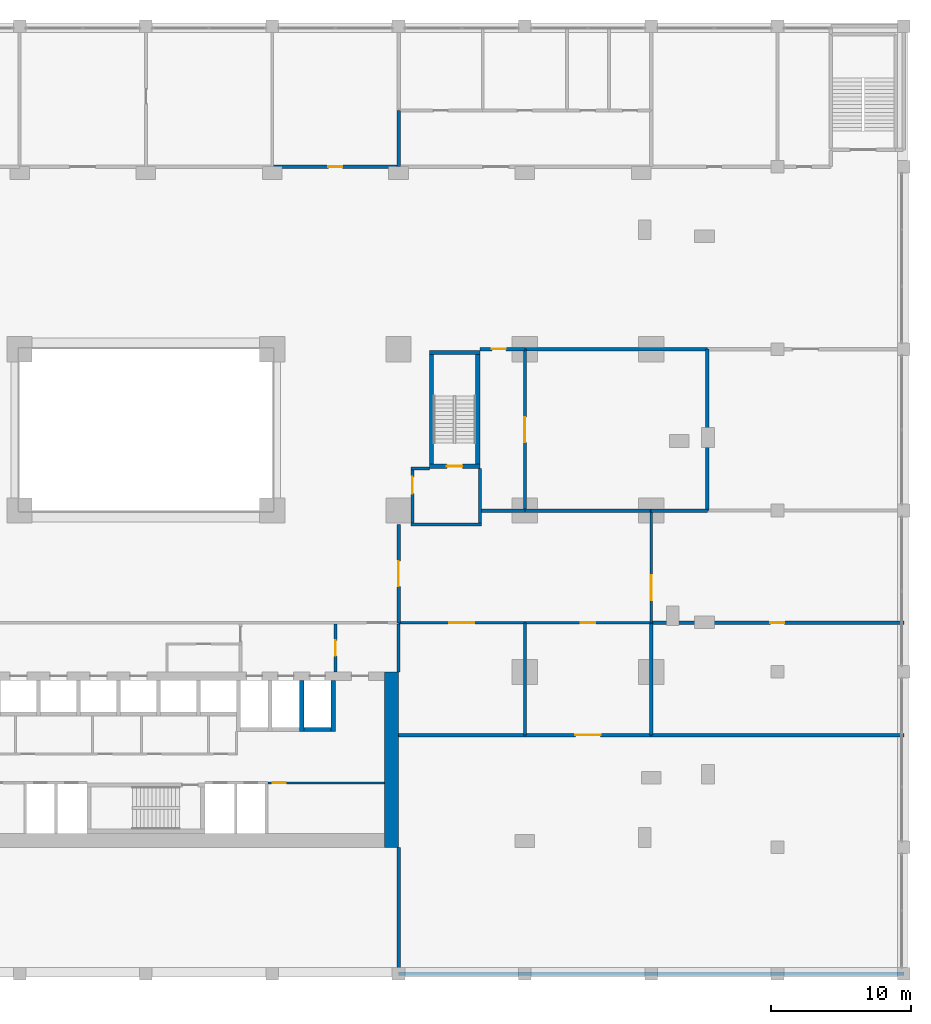
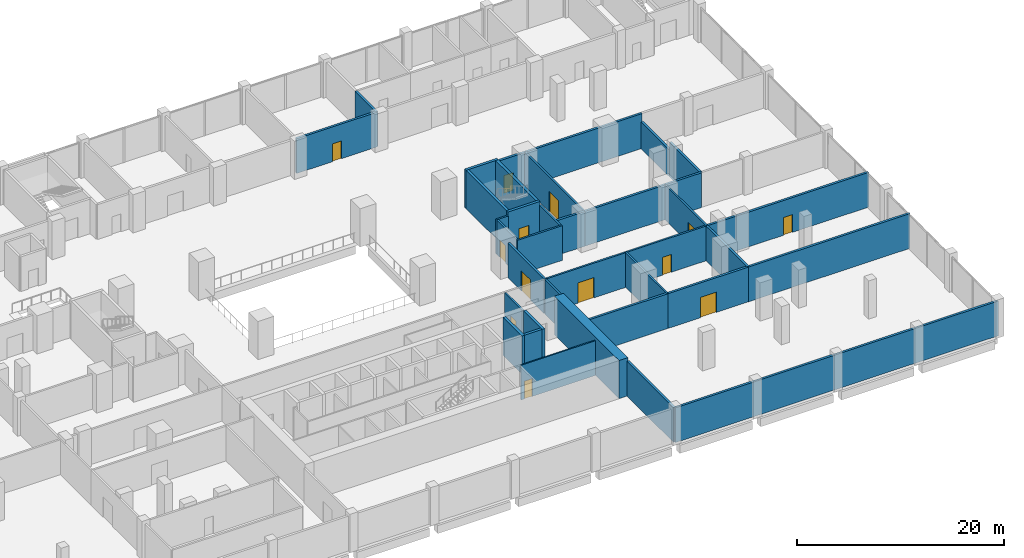
# One storey, part 18 of 22: 37 walls, 13 doors, 13 openings.
"""IFC4 building model written with IfcOpenShell, lengths in metres."""

from ifc_helpers import new_model, si_unit, direction, frame, frame_2d, origin, place, context, subcontext, project, spatial, rectangle, extrude, material, layer, layer_set, type_object, element, fill, save


model = new_model("IFC4")

# Units and contexts
model_context = context("Model", 3, precision=1e-05, world=origin(), true_north=direction((0.0, 1.0)))
body_context = subcontext(model_context, "Body", "Model", "MODEL_VIEW")
ifc_project = project(units=[si_unit("LENGTHUNIT", "METRE"), si_unit("AREAUNIT", "SQUARE_METRE"), si_unit("VOLUMEUNIT", "CUBIC_METRE"), si_unit("PLANEANGLEUNIT", "RADIAN"), si_unit("MASSUNIT", "GRAM", prefix="KILO")], contexts=[model_context])

# Site, building, storey
site_placement = place(None, origin())
site = spatial("IfcSite", under=ifc_project, at=site_placement, CompositionType="ELEMENT")
building_placement = place(site_placement, origin())
building = spatial("IfcBuilding", under=site, at=building_placement, Name="Brigalow Station Residences", CompositionType="ELEMENT")
storey_placement = place(building_placement, frame((0.0, 0.0, 6.5)))
storey = spatial("IfcBuildingStorey", under=building, at=storey_placement, Name="L01", CompositionType="ELEMENT", Elevation=6.5)

# Walls
ifc_material_1 = material(Name="Concrete C80", Category="concrete")
ifc_layer_1 = layer(ifc_material_1, 1.0)
ifc_layer_set_1 = layer_set([ifc_layer_1], Name="CORE SHEAR WALL 1000 C80")
wall_type_1 = type_object("IfcWallType", Name="CORE SHEAR WALL 1000 C80", PredefinedType="SHEAR", material=ifc_layer_set_1)
wall_1_placement = place(storey_placement, frame((53.5, 0.0, 0.0), z_axis=(0.0, 0.0, 1.0), x_axis=(0.0, 1.0, 0.0)))
element("IfcWall", 1, at=wall_1_placement, inside=storey, type_object=wall_type_1, Name="CORE WALL OUT-E L01", PredefinedType="SHEAR", context=body_context, shape_type="SweptSolid", body=[
    extrude(rectangle(XDim=12.5, YDim=1.0, at=frame_2d((6.25, 0.0))), origin(), (0.0, 0.0, 1.0), 4.5),
])
ifc_material_2 = material(Name="Concrete C80", Category="concrete")
ifc_layer_2 = layer(ifc_material_2, 0.300048828125)
ifc_layer_set_2 = layer_set([ifc_layer_2], Name="CORE SHEAR WALL 300 C80")
wall_type_2 = type_object("IfcWallType", Name="CORE SHEAR WALL 300 C80", PredefinedType="SHEAR", material=ifc_layer_set_2)
wall_2_placement = place(storey_placement, frame((47.25, 8.39990234375, 0.0), z_axis=(0.0, 0.0, 1.0), x_axis=(1.0, 0.0, 0.0)))
element("IfcWall", 2, at=wall_2_placement, inside=storey, type_object=wall_type_2, Name="CORE WALL SH-SL1-S L01", PredefinedType="SHEAR", context=body_context, shape_type="SweptSolid", body=[
    extrude(rectangle(XDim=1.949951171875, YDim=0.300048828125, at=frame_2d((0.97509765625, 0.0))), origin(), (0.0, 0.0, 1.0), 4.5),
])
for number, where, z_axis, x_axis, name in (
    (3, (47.10009765625, 8.25, 0.0), (0.0, 0.0, 1.0), (0.0, 1.0, 0.0), "CORE WALL SH-SL1-W L01"),
    (4, (49.35009765625, 8.25, 0.0), (0.0, 0.0, 1.0), (0.0, 1.0, 0.0), "CORE WALL SH-SL1-E L01"),
):
    element("IfcWall", number, at=place(storey_placement, frame(where, z_axis=z_axis, x_axis=x_axis)), inside=storey, type_object=wall_type_2, Name=name, PredefinedType="SHEAR", context=body_context, shape_type="SweptSolid", body=[
        extrude(rectangle(XDim=3.64990234375, YDim=0.300048828125, at=frame_2d((1.824951171875, 0.0))), origin(), (0.0, 0.0, 1.0), 4.5),
    ])

# Wall, opening, door
wall_3_placement = place(storey_placement, frame((56.199951171875, 27.14990234375, 0.0), z_axis=(0.0, 0.0, 1.0), x_axis=(1.0, 0.0, 0.0)))
wall_3 = element("IfcWall", 5, at=wall_3_placement, inside=storey, type_object=wall_type_2, Name="CORE WALL ST-S3-S L01", PredefinedType="SHEAR", context=body_context, shape_type="SweptSolid", body=[
    extrude(rectangle(XDim=3.60009765625, YDim=0.300048828125, at=frame_2d((1.800048828125, 0.0))), origin(), (0.0, 0.0, 1.0), 4.5),
])
opening_1_placement = place(wall_3_placement, frame((1.25, 0.0, 0.0)))
opening_1 = element("IfcOpeningElement", 6, at=opening_1_placement, cuts=wall_3, Name="Opening D-5018", PredefinedType="OPENING", context=body_context, shape_type="SweptSolid", body=[
    extrude(rectangle(XDim=1.10009765625, YDim=2.10009765625, at=frame_2d((0.550048828125, 1.050048828125))), frame((0.0, 0.16015625, 0.0), z_axis=(0.0, -1.0, 0.0), x_axis=(1.0, 0.0, 0.0)), (0.0, 0.0, 1.0), 0.320068359375),
])
ifc_material_3 = material(Name="Steel fire door leaf in steel frame", Category="steel")
door_type_1 = type_object("IfcDoorType", Name="STAIR DOOR 1100 x 2100 FD60S", OperationType="SINGLE_SWING_LEFT", PredefinedType="DOOR", material=ifc_material_3)
door_1_placement = place(opening_1_placement, origin())
door_1 = element("IfcDoor", 7, at=door_1_placement, inside=storey, type_object=door_type_1, Name="D-5018", OperationType="SINGLE_SWING_LEFT", OverallHeight=2.10009765625, OverallWidth=1.10009765625, PredefinedType="DOOR", context=body_context, shape_type="SweptSolid", body=[
    extrude(rectangle(XDim=1.10009765625, YDim=2.10009765625, at=frame_2d((0.550048828125, 1.050048828125))), frame((0.0, 0.02490234375, 0.0), z_axis=(0.0, -1.0, 0.0), x_axis=(1.0, 0.0, 0.0)), (0.0, 0.0, 1.0), 0.050048828125),
])
fill(opening_1, door_1)

# Walls
wall_4_placement = place(storey_placement, frame((56.199951171875, 35.25, 0.0), z_axis=(0.0, 0.0, 1.0), x_axis=(1.0, 0.0, 0.0)))
element("IfcWall", 8, at=wall_4_placement, inside=storey, type_object=wall_type_2, Name="CORE WALL ST-S3-N L01", PredefinedType="SHEAR", context=body_context, shape_type="SweptSolid", body=[
    extrude(rectangle(XDim=3.60009765625, YDim=0.300048828125, at=frame_2d((1.800048828125, 0.0))), origin(), (0.0, 0.0, 1.0), 4.5),
])
for number, where, z_axis, x_axis, name in (
    (9, (56.35009765625, 27.300048828125, 0.0), (0.0, 0.0, 1.0), (0.0, 1.0, 0.0), "CORE WALL ST-S3-W L01"),
    (10, (59.64990234375, 27.300048828125, 0.0), (0.0, 0.0, 1.0), (0.0, 1.0, 0.0), "CORE WALL ST-S3-E L01"),
):
    element("IfcWall", number, at=place(storey_placement, frame(where, z_axis=z_axis, x_axis=x_axis)), inside=storey, type_object=wall_type_2, Name=name, PredefinedType="SHEAR", context=body_context, shape_type="SweptSolid", body=[
        extrude(rectangle(XDim=7.800048828125, YDim=0.300048828125, at=frame_2d((3.89990234375, 0.0))), origin(), (0.0, 0.0, 1.0), 4.5),
    ])

# Wall, opening, door
ifc_material_4 = material(Name="Fire-rated plasterboard on steel studs", Category="steel")
ifc_layer_3 = layer(ifc_material_4, 0.25)
ifc_layer_set_3 = layer_set([ifc_layer_3], Name="FIRE PARTITION 250")
wall_type_3 = type_object("IfcWallType", Name="FIRE PARTITION 250", PredefinedType="PARTITIONING", material=ifc_layer_set_3)
wall_5_placement = place(storey_placement, frame((45.0, 48.5, 0.0), z_axis=(0.0, 0.0, 1.0), x_axis=(1.0, 0.0, 0.0)))
wall_5 = element("IfcWall", 11, at=wall_5_placement, inside=storey, type_object=wall_type_3, Name="Fire Partition 250 Mezzanine Gallery / Retail Unit 6", PredefinedType="PARTITIONING", context=body_context, shape_type="SweptSolid", body=[
    extrude(rectangle(XDim=9.0, YDim=0.25, at=frame_2d((4.5, 0.0))), origin(), (0.0, 0.0, 1.0), 4.097900390625),
])
opening_2_placement = place(wall_5_placement, frame((4.0, 0.0, 0.0)))
opening_2 = element("IfcOpeningElement", 12, at=opening_2_placement, cuts=wall_5, Name="Opening D-7308", PredefinedType="OPENING", context=body_context, shape_type="SweptSolid", body=[
    extrude(rectangle(XDim=1.0, YDim=2.10009765625, at=frame_2d((0.5, 1.050048828125))), frame((0.0, 0.135009765625, 0.0), z_axis=(0.0, -1.0, 0.0), x_axis=(1.0, 0.0, 0.0)), (0.0, 0.0, 1.0), 0.27001953125),
])
ifc_material_5 = material(Name="Steel fire door leaf in steel frame", Category="steel")
door_type_2 = type_object("IfcDoorType", Name="DOOR SINGLE 1000 FIRE", OperationType="SINGLE_SWING_LEFT", PredefinedType="DOOR", material=ifc_material_5)
door_2_placement = place(opening_2_placement, origin())
door_2 = element("IfcDoor", 13, at=door_2_placement, inside=storey, type_object=door_type_2, Name="Retail unit 6 door", OperationType="SINGLE_SWING_RIGHT", OverallHeight=2.10009765625, OverallWidth=1.0, PredefinedType="DOOR", context=body_context, shape_type="SweptSolid", body=[
    extrude(rectangle(XDim=1.0, YDim=2.10009765625, at=frame_2d((0.5, 1.050048828125))), frame((0.0, 0.02490234375, 0.0), z_axis=(0.0, -1.0, 0.0), x_axis=(1.0, 0.0, 0.0)), (0.0, 0.0, 1.0), 0.050048828125),
])
fill(opening_2, door_2)

wall_6_placement = place(storey_placement, frame((59.800048828125, 35.5, 0.0), z_axis=(0.0, 0.0, 1.0), x_axis=(1.0, 0.0, 0.0)))
wall_6 = element("IfcWall", 14, at=wall_6_placement, inside=storey, type_object=wall_type_3, Name="Fire Partition 250 Mezzanine Gallery / Foyer", PredefinedType="PARTITIONING", context=body_context, shape_type="SweptSolid", body=[
    extrude(rectangle(XDim=3.199951171875, YDim=0.25, at=frame_2d((1.60009765625, 0.0))), origin(), (0.0, 0.0, 1.0), 4.097900390625),
])
opening_3_placement = place(wall_6_placement, frame((0.85009765625, 0.0, 0.0)))
opening_3 = element("IfcOpeningElement", 15, at=opening_3_placement, cuts=wall_6, Name="Opening D-7328", PredefinedType="OPENING", context=body_context, shape_type="SweptSolid", body=[
    extrude(rectangle(XDim=1.0, YDim=2.10009765625, at=frame_2d((0.5, 1.050048828125))), frame((0.0, 0.135009765625, 0.0), z_axis=(0.0, -1.0, 0.0), x_axis=(1.0, 0.0, 0.0)), (0.0, 0.0, 1.0), 0.27001953125),
])
door_3_placement = place(opening_3_placement, frame((1.0, 0.0, 0.0), z_axis=(0.0, 0.0, 1.0), x_axis=(-1.0, 0.0, 0.0)))
door_3 = element("IfcDoor", 16, at=door_3_placement, inside=storey, type_object=door_type_2, Name="Foyer door", OperationType="SINGLE_SWING_RIGHT", OverallHeight=2.10009765625, OverallWidth=1.0, PredefinedType="DOOR", context=body_context, shape_type="SweptSolid", body=[
    extrude(rectangle(XDim=1.0, YDim=2.10009765625, at=frame_2d((0.5, 1.050048828125))), frame((0.0, 0.02490234375, 0.0), z_axis=(0.0, -1.0, 0.0), x_axis=(1.0, 0.0, 0.0)), (0.0, 0.0, 1.0), 0.050048828125),
])
fill(opening_3, door_3)

# Wall
wall_7_placement = place(storey_placement, frame((63.0, 35.5, 0.0), z_axis=(0.0, 0.0, 1.0), x_axis=(1.0, 0.0, 0.0)))
element("IfcWall", 17, at=wall_7_placement, inside=storey, type_object=wall_type_3, Name="Fire Partition 250 Mezzanine Gallery / Cinema 118 Seats", PredefinedType="PARTITIONING", context=body_context, shape_type="SweptSolid", body=[
    extrude(rectangle(XDim=13.0, YDim=0.25, at=frame_2d((6.5, 0.0))), origin(), (0.0, 0.0, 1.0), 4.097900390625),
])

# Wall, opening, door
wall_8_placement = place(storey_placement, frame((54.0, 16.0, 0.0), z_axis=(0.0, 0.0, 1.0), x_axis=(0.0, 1.0, 0.0)))
wall_8 = element("IfcWall", 18, at=wall_8_placement, inside=storey, type_object=wall_type_3, Name="Fire Partition 250 Mezzanine Gallery / Residents' Games Room", PredefinedType="PARTITIONING", context=body_context, shape_type="SweptSolid", body=[
    extrude(rectangle(XDim=7.0, YDim=0.25, at=frame_2d((3.5, 0.0))), origin(), (0.0, 0.0, 1.0), 4.097900390625),
])
opening_4_placement = place(wall_8_placement, frame((2.60009765625, 0.0, 0.0)))
opening_4 = element("IfcOpeningElement", 19, at=opening_4_placement, cuts=wall_8, Name="Opening D-7331", PredefinedType="OPENING", context=body_context, shape_type="SweptSolid", body=[
    extrude(rectangle(XDim=1.800048828125, YDim=2.39990234375, at=frame_2d((0.89990234375, 1.199951171875))), frame((0.0, 0.135009765625, 0.0), z_axis=(0.0, -1.0, 0.0), x_axis=(1.0, 0.0, 0.0)), (0.0, 0.0, 1.0), 0.27001953125),
])
ifc_material_6 = material(Name="Steel fire door leaves in steel frame", Category="steel")
door_type_3 = type_object("IfcDoorType", Name="DOOR DOUBLE 1800 FIRE", OperationType="DOUBLE_DOOR_SINGLE_SWING", PredefinedType="DOOR", material=ifc_material_6)
door_4_placement = place(opening_4_placement, origin())
door_4 = element("IfcDoor", 20, at=door_4_placement, inside=storey, type_object=door_type_3, Name="Residents' games room door", OperationType="DOUBLE_DOOR_SINGLE_SWING", OverallHeight=2.39990234375, OverallWidth=1.800048828125, PredefinedType="DOOR", context=body_context, shape_type="SweptSolid", body=[
    extrude(rectangle(XDim=1.800048828125, YDim=2.39990234375, at=frame_2d((0.89990234375, 1.199951171875))), frame((0.0, 0.02490234375, 0.0), z_axis=(0.0, -1.0, 0.0), x_axis=(1.0, 0.0, 0.0)), (0.0, 0.0, 1.0), 0.050048828125),
])
fill(opening_4, door_4)

# Walls
wall_9_placement = place(storey_placement, frame((54.0, 48.5, 0.0), z_axis=(0.0, 0.0, 1.0), x_axis=(0.0, 1.0, 0.0)))
element("IfcWall", 21, at=wall_9_placement, inside=storey, type_object=wall_type_3, Name="Fire Partition 250 Retail Unit 6 / Public Wc Lobby", PredefinedType="PARTITIONING", context=body_context, shape_type="SweptSolid", body=[
    extrude(rectangle(XDim=4.0, YDim=0.25, at=frame_2d((2.0, 0.0))), origin(), (0.0, 0.0, 1.0), 4.097900390625),
])
wall_10_placement = place(storey_placement, frame((54.0, -9.0, 0.0), z_axis=(0.0, 0.0, 1.0), x_axis=(0.0, 1.0, 0.0)))
element("IfcWall", 22, at=wall_10_placement, inside=storey, type_object=wall_type_3, Name="Fire Partition 250 Residents' Storage Room / Podium Plant Room", PredefinedType="PARTITIONING", context=body_context, shape_type="SweptSolid", body=[
    extrude(rectangle(XDim=9.0, YDim=0.25, at=frame_2d((4.5, 0.0))), origin(), (0.0, 0.0, 1.0), 4.097900390625),
])
wall_11_placement = place(storey_placement, frame((59.800048828125, 24.0, 0.0), z_axis=(0.0, 0.0, 1.0), x_axis=(1.0, 0.0, 0.0)))
element("IfcWall", 23, at=wall_11_placement, inside=storey, type_object=wall_type_3, Name="Fire Partition 250 Foyer / Residents' Games Room", PredefinedType="PARTITIONING", context=body_context, shape_type="SweptSolid", body=[
    extrude(rectangle(XDim=3.199951171875, YDim=0.25, at=frame_2d((1.60009765625, 0.0))), origin(), (0.0, 0.0, 1.0), 4.097900390625),
])
wall_12_placement = place(storey_placement, frame((76.0, 24.0, 0.0), z_axis=(0.0, 0.0, 1.0), x_axis=(0.0, 1.0, 0.0)))
element("IfcWall", 24, at=wall_12_placement, inside=storey, type_object=wall_type_3, Name="Fire Partition 250 Cinema 118 Seats / Storage Room", PredefinedType="PARTITIONING", context=body_context, shape_type="SweptSolid", body=[
    extrude(rectangle(XDim=5.89697265625, YDim=0.25, at=frame_2d((2.948486328125, 0.0))), origin(), (0.0, 0.0, 1.0), 4.097900390625),
])
wall_13_placement = place(storey_placement, frame((76.0, 29.89697265625, 0.0), z_axis=(0.0, 0.0, 1.0), x_axis=(0.0, 1.0, 0.0)))
element("IfcWall", 25, at=wall_13_placement, inside=storey, type_object=wall_type_3, Name="Fire Partition 250 Cinema 118 Seats / Storage Room", PredefinedType="PARTITIONING", context=body_context, shape_type="SweptSolid", body=[
    extrude(rectangle(XDim=5.60302734375, YDim=0.25, at=frame_2d((2.801513671875, 0.0))), origin(), (0.0, 0.0, 1.0), 3.14794921875),
])
wall_14_placement = place(storey_placement, frame((63.0, 24.0, 0.0), z_axis=(0.0, 0.0, 1.0), x_axis=(1.0, 0.0, 0.0)))
element("IfcWall", 26, at=wall_14_placement, inside=storey, type_object=wall_type_3, Name="Fire Partition 250 Cinema 118 Seats / Residents' Games Room", PredefinedType="PARTITIONING", context=body_context, shape_type="SweptSolid", body=[
    extrude(rectangle(XDim=9.0, YDim=0.25, at=frame_2d((4.5, 0.0))), origin(), (0.0, 0.0, 1.0), 4.097900390625),
])
wall_15_placement = place(storey_placement, frame((72.0, 24.0, 0.0), z_axis=(0.0, 0.0, 1.0), x_axis=(1.0, 0.0, 0.0)))
element("IfcWall", 27, at=wall_15_placement, inside=storey, type_object=wall_type_3, Name="Fire Partition 250 Cinema 118 Seats / Music Room", PredefinedType="PARTITIONING", context=body_context, shape_type="SweptSolid", body=[
    extrude(rectangle(XDim=4.0, YDim=0.25, at=frame_2d((2.0, 0.0))), origin(), (0.0, 0.0, 1.0), 4.097900390625),
])

# Wall, opening, door
wall_16_placement = place(storey_placement, frame((72.0, 16.0, 0.0), z_axis=(0.0, 0.0, 1.0), x_axis=(1.0, 0.0, 0.0)))
wall_16 = element("IfcWall", 28, at=wall_16_placement, inside=storey, type_object=wall_type_3, Name="Fire Partition 250 Music Room / Podium Electrical Plant Room", PredefinedType="PARTITIONING", context=body_context, shape_type="SweptSolid", body=[
    extrude(rectangle(XDim=18.0, YDim=0.25, at=frame_2d((9.0, 0.0))), origin(), (0.0, 0.0, 1.0), 4.097900390625),
])
opening_5_placement = place(wall_16_placement, frame((8.5, 0.0, 0.0)))
opening_5 = element("IfcOpeningElement", 29, at=opening_5_placement, cuts=wall_16, Name="Opening D-7335", PredefinedType="OPENING", context=body_context, shape_type="SweptSolid", body=[
    extrude(rectangle(XDim=1.0, YDim=2.10009765625, at=frame_2d((0.5, 1.050048828125))), frame((0.0, 0.135009765625, 0.0), z_axis=(0.0, -1.0, 0.0), x_axis=(1.0, 0.0, 0.0)), (0.0, 0.0, 1.0), 0.27001953125),
])
door_5_placement = place(opening_5_placement, frame((1.0, 0.0, 0.0), z_axis=(0.0, 0.0, 1.0), x_axis=(-1.0, 0.0, 0.0)))
door_5 = element("IfcDoor", 30, at=door_5_placement, inside=storey, type_object=door_type_2, Name="Podium electrical plant room door", OperationType="SINGLE_SWING_LEFT", OverallHeight=2.10009765625, OverallWidth=1.0, PredefinedType="DOOR", context=body_context, shape_type="SweptSolid", body=[
    extrude(rectangle(XDim=1.0, YDim=2.10009765625, at=frame_2d((0.5, 1.050048828125))), frame((0.0, 0.02490234375, 0.0), z_axis=(0.0, -1.0, 0.0), x_axis=(1.0, 0.0, 0.0)), (0.0, 0.0, 1.0), 0.050048828125),
])
fill(opening_5, door_5)

# Wall
wall_17_placement = place(storey_placement, frame((54.0, 8.0, 0.0), z_axis=(0.0, 0.0, 1.0), x_axis=(1.0, 0.0, 0.0)))
element("IfcWall", 31, at=wall_17_placement, inside=storey, type_object=wall_type_3, Name="Fire Partition 250 Private Screening Room 16 Seats / Podium Plant Room", PredefinedType="PARTITIONING", context=body_context, shape_type="SweptSolid", body=[
    extrude(rectangle(XDim=9.0, YDim=0.25, at=frame_2d((4.5, 0.0))), origin(), (0.0, 0.0, 1.0), 4.097900390625),
])

# Wall, opening, door
wall_18_placement = place(storey_placement, frame((63.0, 8.0, 0.0), z_axis=(0.0, 0.0, 1.0), x_axis=(1.0, 0.0, 0.0)))
wall_18 = element("IfcWall", 32, at=wall_18_placement, inside=storey, type_object=wall_type_3, Name="Fire Partition 250 Storage Room / Podium Plant Room", PredefinedType="PARTITIONING", context=body_context, shape_type="SweptSolid", body=[
    extrude(rectangle(XDim=9.0, YDim=0.25, at=frame_2d((4.5, 0.0))), origin(), (0.0, 0.0, 1.0), 4.097900390625),
])
opening_6_placement = place(wall_18_placement, frame((3.60009765625, 0.0, 0.0)))
opening_6 = element("IfcOpeningElement", 33, at=opening_6_placement, cuts=wall_18, Name="Opening D-7336", PredefinedType="OPENING", context=body_context, shape_type="SweptSolid", body=[
    extrude(rectangle(XDim=1.800048828125, YDim=2.39990234375, at=frame_2d((0.89990234375, 1.199951171875))), frame((0.0, 0.135009765625, 0.0), z_axis=(0.0, -1.0, 0.0), x_axis=(1.0, 0.0, 0.0)), (0.0, 0.0, 1.0), 0.27001953125),
])
door_6_placement = place(opening_6_placement, origin())
door_6 = element("IfcDoor", 34, at=door_6_placement, inside=storey, type_object=door_type_3, Name="Podium plant room door", OperationType="DOUBLE_DOOR_SINGLE_SWING", OverallHeight=2.39990234375, OverallWidth=1.800048828125, PredefinedType="DOOR", context=body_context, shape_type="SweptSolid", body=[
    extrude(rectangle(XDim=1.800048828125, YDim=2.39990234375, at=frame_2d((0.89990234375, 1.199951171875))), frame((0.0, 0.02490234375, 0.0), z_axis=(0.0, -1.0, 0.0), x_axis=(1.0, 0.0, 0.0)), (0.0, 0.0, 1.0), 0.050048828125),
])
fill(opening_6, door_6)

# Walls
wall_19_placement = place(storey_placement, frame((72.0, 8.0, 0.0), z_axis=(0.0, 0.0, 1.0), x_axis=(0.0, 1.0, 0.0)))
element("IfcWall", 35, at=wall_19_placement, inside=storey, type_object=wall_type_3, Name="Fire Partition 250 Storage Room / Podium Electrical Plant Room", PredefinedType="PARTITIONING", context=body_context, shape_type="SweptSolid", body=[
    extrude(rectangle(XDim=8.0, YDim=0.25, at=frame_2d((4.0, 0.0))), origin(), (0.0, 0.0, 1.0), 4.097900390625),
])
wall_20_placement = place(storey_placement, frame((72.0, 8.0, 0.0), z_axis=(0.0, 0.0, 1.0), x_axis=(1.0, 0.0, 0.0)))
element("IfcWall", 36, at=wall_20_placement, inside=storey, type_object=wall_type_3, Name="Fire Partition 250 Podium Plant Room / Podium Electrical Plant Room", PredefinedType="PARTITIONING", context=body_context, shape_type="SweptSolid", body=[
    extrude(rectangle(XDim=18.0, YDim=0.25, at=frame_2d((9.0, 0.0))), origin(), (0.0, 0.0, 1.0), 4.097900390625),
])
wall_21_placement = place(storey_placement, frame((54.0, -9.0, 0.0), z_axis=(0.0, 0.0, 1.0), x_axis=(1.0, 0.0, 0.0)))
element("IfcWall", 37, at=wall_21_placement, inside=storey, type_object=wall_type_3, Name="Fire Partition 250 Podium Plant Room / OUT", PredefinedType="PARTITIONING", context=body_context, shape_type="SweptSolid", body=[
    extrude(rectangle(XDim=36.0, YDim=0.25, at=frame_2d((18.0, 0.0))), origin(), (0.0, 0.0, 1.0), 4.097900390625),
])
ifc_material_7 = material(Name="Concrete blockwork", Category="masonry")
ifc_layer_4 = layer(ifc_material_7, 0.199951171875)
ifc_layer_set_4 = layer_set([ifc_layer_4], Name="FIRE RATED CORE PARTITION 200")
wall_type_4 = type_object("IfcWallType", Name="FIRE RATED CORE PARTITION 200", PredefinedType="PARTITIONING", material=ifc_layer_set_4)
wall_22_placement = place(storey_placement, frame((54.89990234375, 23.0, 0.0), z_axis=(0.0, 0.0, 1.0), x_axis=(1.0, 0.0, 0.0)))
element("IfcWall", 38, at=wall_22_placement, inside=storey, type_object=wall_type_4, Name="PW-5024", PredefinedType="PARTITIONING", context=body_context, shape_type="SweptSolid", body=[
    extrude(rectangle(XDim=5.0, YDim=0.199951171875, at=frame_2d((2.5, 0.0))), origin(), (0.0, 0.0, 1.0), 4.097900390625),
])
wall_23_placement = place(storey_placement, frame((54.89990234375, 27.0, 0.0), z_axis=(0.0, 0.0, 1.0), x_axis=(1.0, 0.0, 0.0)))
element("IfcWall", 39, at=wall_23_placement, inside=storey, type_object=wall_type_4, Name="PW-5026", PredefinedType="PARTITIONING", context=body_context, shape_type="SweptSolid", body=[
    extrude(rectangle(XDim=1.300048828125, YDim=0.199951171875, at=frame_2d((0.64990234375, 0.0))), origin(), (0.0, 0.0, 1.0), 4.097900390625),
])

# Wall, opening, door
wall_24_placement = place(storey_placement, frame((49.5, 12.5, 0.0), z_axis=(0.0, 0.0, 1.0), x_axis=(0.0, 1.0, 0.0)))
wall_24 = element("IfcWall", 40, at=wall_24_placement, inside=storey, type_object=wall_type_4, Name="PW-5015", PredefinedType="PARTITIONING", context=body_context, shape_type="SweptSolid", body=[
    extrude(rectangle(XDim=3.39990234375, YDim=0.199951171875, at=frame_2d((1.699951171875, 0.0))), origin(), (0.0, 0.0, 1.0), 4.097900390625),
])
opening_7_placement = place(wall_24_placement, frame((1.14990234375, 0.0, 0.0)))
opening_7 = element("IfcOpeningElement", 41, at=opening_7_placement, cuts=wall_24, Name="Opening D-5014", PredefinedType="OPENING", context=body_context, shape_type="SweptSolid", body=[
    extrude(rectangle(XDim=1.10009765625, YDim=2.10009765625, at=frame_2d((0.550048828125, 1.050048828125))), frame((0.0, 0.10986328125, 0.0), z_axis=(0.0, -1.0, 0.0), x_axis=(1.0, 0.0, 0.0)), (0.0, 0.0, 1.0), 0.219970703125),
])
ifc_material_8 = material(Name="Steel fire door leaf in steel frame", Category="steel")
door_type_4 = type_object("IfcDoorType", Name="LOBBY DOOR 1100 x 2100 FD60S", OperationType="SINGLE_SWING_LEFT", PredefinedType="DOOR", material=ifc_material_8)
door_7_placement = place(opening_7_placement, origin())
door_7 = element("IfcDoor", 42, at=door_7_placement, inside=storey, type_object=door_type_4, Name="D-5014", OperationType="SINGLE_SWING_LEFT", OverallHeight=2.10009765625, OverallWidth=1.10009765625, PredefinedType="DOOR", context=body_context, shape_type="SweptSolid", body=[
    extrude(rectangle(XDim=1.10009765625, YDim=2.10009765625, at=frame_2d((0.550048828125, 1.050048828125))), frame((0.0, 0.02490234375, 0.0), z_axis=(0.0, -1.0, 0.0), x_axis=(1.0, 0.0, 0.0)), (0.0, 0.0, 1.0), 0.050048828125),
])
fill(opening_7, door_7)

# Wall
wall_25_placement = place(storey_placement, frame((54.0, 12.5, 0.0), z_axis=(0.0, 0.0, 1.0), x_axis=(0.0, 1.0, 0.0)))
element("IfcWall", 43, at=wall_25_placement, inside=storey, type_object=wall_type_4, Name="PW-5016", PredefinedType="PARTITIONING", context=body_context, shape_type="SweptSolid", body=[
    extrude(rectangle(XDim=3.39990234375, YDim=0.199951171875, at=frame_2d((1.699951171875, 0.0))), origin(), (0.0, 0.0, 1.0), 4.097900390625),
])

# Wall, opening, door
wall_26_placement = place(storey_placement, frame((55.0, 23.10009765625, 0.0), z_axis=(0.0, 0.0, 1.0), x_axis=(0.0, 1.0, 0.0)))
wall_26 = element("IfcWall", 44, at=wall_26_placement, inside=storey, type_object=wall_type_4, Name="PW-5036", PredefinedType="PARTITIONING", context=body_context, shape_type="SweptSolid", body=[
    extrude(rectangle(XDim=3.7998046875, YDim=0.199951171875, at=frame_2d((1.89990234375, 0.0))), origin(), (0.0, 0.0, 1.0), 4.097900390625),
])
opening_8_placement = place(wall_26_placement, frame((2.10009765625, 0.0, 0.0)))
opening_8 = element("IfcOpeningElement", 45, at=opening_8_placement, cuts=wall_26, Name="Opening D-5019", PredefinedType="OPENING", context=body_context, shape_type="SweptSolid", body=[
    extrude(rectangle(XDim=1.199951171875, YDim=2.10009765625, at=frame_2d((0.60009765625, 1.050048828125))), frame((0.0, 0.10986328125, 0.0), z_axis=(0.0, -1.0, 0.0), x_axis=(1.0, 0.0, 0.0)), (0.0, 0.0, 1.0), 0.219970703125),
])
ifc_material_9 = material(Name="Steel fire door leaf in steel frame", Category="steel")
door_type_5 = type_object("IfcDoorType", Name="STAIR LOBBY DOOR 1200 x 2100 FD60S", OperationType="SINGLE_SWING_LEFT", PredefinedType="DOOR", material=ifc_material_9)
door_8_placement = place(opening_8_placement, frame((1.199951171875, 0.0, 0.0), z_axis=(0.0, 0.0, 1.0), x_axis=(-1.0, 0.0, 0.0)))
door_8 = element("IfcDoor", 46, at=door_8_placement, inside=storey, type_object=door_type_5, Name="D-5019", OperationType="SINGLE_SWING_LEFT", OverallHeight=2.10009765625, OverallWidth=1.199951171875, PredefinedType="DOOR", context=body_context, shape_type="SweptSolid", body=[
    extrude(rectangle(XDim=1.199951171875, YDim=2.10009765625, at=frame_2d((0.60009765625, 1.050048828125))), frame((0.0, 0.02490234375, 0.0), z_axis=(0.0, -1.0, 0.0), x_axis=(1.0, 0.0, 0.0)), (0.0, 0.0, 1.0), 0.050048828125),
])
fill(opening_8, door_8)

# Wall
wall_27_placement = place(storey_placement, frame((59.800048828125, 23.10009765625, 0.0), z_axis=(0.0, 0.0, 1.0), x_axis=(0.0, 1.0, 0.0)))
element("IfcWall", 47, at=wall_27_placement, inside=storey, type_object=wall_type_4, Name="PW-5037", PredefinedType="PARTITIONING", context=body_context, shape_type="SweptSolid", body=[
    extrude(rectangle(XDim=3.89990234375, YDim=0.199951171875, at=frame_2d((1.949951171875, 0.0))), origin(), (0.0, 0.0, 1.0), 4.097900390625),
])

# Wall, opening, door
ifc_material_10 = material(Name="Plasterboard on steel studs with acoustic insulation", Category="steel")
ifc_layer_5 = layer(ifc_material_10, 0.199951171875)
ifc_layer_set_5 = layer_set([ifc_layer_5], Name="PARTITION 200")
wall_type_5 = type_object("IfcWallType", Name="PARTITION 200", PredefinedType="PARTITIONING", material=ifc_layer_set_5)
wall_28_placement = place(storey_placement, frame((63.0, 24.0, 0.0), z_axis=(0.0, 0.0, 1.0), x_axis=(0.0, 1.0, 0.0)))
wall_28 = element("IfcWall", 48, at=wall_28_placement, inside=storey, type_object=wall_type_5, Name="Partition 200 Foyer / Cinema 118 Seats", PredefinedType="PARTITIONING", context=body_context, shape_type="SweptSolid", body=[
    extrude(rectangle(XDim=11.5, YDim=0.199951171875, at=frame_2d((5.75, 0.0))), origin(), (0.0, 0.0, 1.0), 4.097900390625),
])
opening_9_placement = place(wall_28_placement, frame((4.85009765625, 0.0, 0.0)))
opening_9 = element("IfcOpeningElement", 49, at=opening_9_placement, cuts=wall_28, Name="Opening D-7329", PredefinedType="OPENING", context=body_context, shape_type="SweptSolid", body=[
    extrude(rectangle(XDim=1.800048828125, YDim=2.39990234375, at=frame_2d((0.89990234375, 1.199951171875))), frame((0.0, 0.10986328125, 0.0), z_axis=(0.0, -1.0, 0.0), x_axis=(1.0, 0.0, 0.0)), (0.0, 0.0, 1.0), 0.219970703125),
])
door_9_placement = place(opening_9_placement, origin())
door_9 = element("IfcDoor", 50, at=door_9_placement, inside=storey, type_object=door_type_3, Name="Cinema door", OperationType="DOUBLE_DOOR_SINGLE_SWING", OverallHeight=2.39990234375, OverallWidth=1.800048828125, PredefinedType="DOOR", context=body_context, shape_type="SweptSolid", body=[
    extrude(rectangle(XDim=1.800048828125, YDim=2.39990234375, at=frame_2d((0.89990234375, 1.199951171875))), frame((0.0, 0.02490234375, 0.0), z_axis=(0.0, -1.0, 0.0), x_axis=(1.0, 0.0, 0.0)), (0.0, 0.0, 1.0), 0.050048828125),
])
fill(opening_9, door_9)

wall_29_placement = place(storey_placement, frame((72.0, 16.0, 0.0), z_axis=(0.0, 0.0, 1.0), x_axis=(0.0, 1.0, 0.0)))
wall_29 = element("IfcWall", 51, at=wall_29_placement, inside=storey, type_object=wall_type_5, Name="Partition 200 Residents' Games Room / Music Room", PredefinedType="PARTITIONING", context=body_context, shape_type="SweptSolid", body=[
    extrude(rectangle(XDim=8.0, YDim=0.199951171875, at=frame_2d((4.0, 0.0))), origin(), (0.0, 0.0, 1.0), 4.097900390625),
])
opening_10_placement = place(wall_29_placement, frame((1.60009765625, 0.0, 0.0)))
opening_10 = element("IfcOpeningElement", 52, at=opening_10_placement, cuts=wall_29, Name="Opening D-7332", PredefinedType="OPENING", context=body_context, shape_type="SweptSolid", body=[
    extrude(rectangle(XDim=1.800048828125, YDim=2.39990234375, at=frame_2d((0.89990234375, 1.199951171875))), frame((0.0, 0.10986328125, 0.0), z_axis=(0.0, -1.0, 0.0), x_axis=(1.0, 0.0, 0.0)), (0.0, 0.0, 1.0), 0.219970703125),
])
ifc_material_11 = material(Name="Timber door leaves in steel frame", Category="steel")
door_type_6 = type_object("IfcDoorType", Name="DOOR DOUBLE 1800", OperationType="DOUBLE_DOOR_SINGLE_SWING", PredefinedType="DOOR", material=ifc_material_11)
door_10_placement = place(opening_10_placement, origin())
door_10 = element("IfcDoor", 53, at=door_10_placement, inside=storey, type_object=door_type_6, Name="Music room door", OperationType="DOUBLE_DOOR_SINGLE_SWING", OverallHeight=2.39990234375, OverallWidth=1.800048828125, PredefinedType="DOOR", context=body_context, shape_type="SweptSolid", body=[
    extrude(rectangle(XDim=1.800048828125, YDim=2.39990234375, at=frame_2d((0.89990234375, 1.199951171875))), frame((0.0, 0.02490234375, 0.0), z_axis=(0.0, -1.0, 0.0), x_axis=(1.0, 0.0, 0.0)), (0.0, 0.0, 1.0), 0.050048828125),
])
fill(opening_10, door_10)

wall_30_placement = place(storey_placement, frame((54.0, 16.0, 0.0), z_axis=(0.0, 0.0, 1.0), x_axis=(1.0, 0.0, 0.0)))
wall_30 = element("IfcWall", 54, at=wall_30_placement, inside=storey, type_object=wall_type_5, Name="Partition 200 Residents' Games Room / Private Screening Room 16 Seats", PredefinedType="PARTITIONING", context=body_context, shape_type="SweptSolid", body=[
    extrude(rectangle(XDim=9.0, YDim=0.199951171875, at=frame_2d((4.5, 0.0))), origin(), (0.0, 0.0, 1.0), 4.097900390625),
])
opening_11_placement = place(wall_30_placement, frame((3.60009765625, 0.0, 0.0)))
opening_11 = element("IfcOpeningElement", 55, at=opening_11_placement, cuts=wall_30, Name="Opening D-7333", PredefinedType="OPENING", context=body_context, shape_type="SweptSolid", body=[
    extrude(rectangle(XDim=1.800048828125, YDim=2.39990234375, at=frame_2d((0.89990234375, 1.199951171875))), frame((0.0, 0.10986328125, 0.0), z_axis=(0.0, -1.0, 0.0), x_axis=(1.0, 0.0, 0.0)), (0.0, 0.0, 1.0), 0.219970703125),
])
door_11_placement = place(opening_11_placement, frame((1.800048828125, 0.0, 0.0), z_axis=(0.0, 0.0, 1.0), x_axis=(-1.0, 0.0, 0.0)))
door_11 = element("IfcDoor", 56, at=door_11_placement, inside=storey, type_object=door_type_6, Name="Private screening room door", OperationType="DOUBLE_DOOR_SINGLE_SWING", OverallHeight=2.39990234375, OverallWidth=1.800048828125, PredefinedType="DOOR", context=body_context, shape_type="SweptSolid", body=[
    extrude(rectangle(XDim=1.800048828125, YDim=2.39990234375, at=frame_2d((0.89990234375, 1.199951171875))), frame((0.0, 0.02490234375, 0.0), z_axis=(0.0, -1.0, 0.0), x_axis=(1.0, 0.0, 0.0)), (0.0, 0.0, 1.0), 0.050048828125),
])
fill(opening_11, door_11)

wall_31_placement = place(storey_placement, frame((63.0, 16.0, 0.0), z_axis=(0.0, 0.0, 1.0), x_axis=(1.0, 0.0, 0.0)))
wall_31 = element("IfcWall", 57, at=wall_31_placement, inside=storey, type_object=wall_type_5, Name="Partition 200 Residents' Games Room / Storage Room", PredefinedType="PARTITIONING", context=body_context, shape_type="SweptSolid", body=[
    extrude(rectangle(XDim=9.0, YDim=0.199951171875, at=frame_2d((4.5, 0.0))), origin(), (0.0, 0.0, 1.0), 4.097900390625),
])
opening_12_placement = place(wall_31_placement, frame((4.0, 0.0, 0.0)))
opening_12 = element("IfcOpeningElement", 58, at=opening_12_placement, cuts=wall_31, Name="Opening D-7334", PredefinedType="OPENING", context=body_context, shape_type="SweptSolid", body=[
    extrude(rectangle(XDim=1.0, YDim=2.10009765625, at=frame_2d((0.5, 1.050048828125))), frame((0.0, 0.10986328125, 0.0), z_axis=(0.0, -1.0, 0.0), x_axis=(1.0, 0.0, 0.0)), (0.0, 0.0, 1.0), 0.219970703125),
])
ifc_material_12 = material(Name="Timber door leaf in steel frame", Category="steel")
door_type_7 = type_object("IfcDoorType", Name="DOOR SINGLE 1000", OperationType="SINGLE_SWING_LEFT", PredefinedType="DOOR", material=ifc_material_12)
door_12_placement = place(opening_12_placement, frame((1.0, 0.0, 0.0), z_axis=(0.0, 0.0, 1.0), x_axis=(-1.0, 0.0, 0.0)))
door_12 = element("IfcDoor", 59, at=door_12_placement, inside=storey, type_object=door_type_7, Name="Storage room door", OperationType="SINGLE_SWING_RIGHT", OverallHeight=2.10009765625, OverallWidth=1.0, PredefinedType="DOOR", context=body_context, shape_type="SweptSolid", body=[
    extrude(rectangle(XDim=1.0, YDim=2.10009765625, at=frame_2d((0.5, 1.050048828125))), frame((0.0, 0.02490234375, 0.0), z_axis=(0.0, -1.0, 0.0), x_axis=(1.0, 0.0, 0.0)), (0.0, 0.0, 1.0), 0.050048828125),
])
fill(opening_12, door_12)

# Wall
wall_32_placement = place(storey_placement, frame((63.0, 8.0, 0.0), z_axis=(0.0, 0.0, 1.0), x_axis=(0.0, 1.0, 0.0)))
element("IfcWall", 60, at=wall_32_placement, inside=storey, type_object=wall_type_5, Name="Partition 200 Private Screening Room 16 Seats / Storage Room", PredefinedType="PARTITIONING", context=body_context, shape_type="SweptSolid", body=[
    extrude(rectangle(XDim=8.0, YDim=0.199951171875, at=frame_2d((4.0, 0.0))), origin(), (0.0, 0.0, 1.0), 4.097900390625),
])

# Wall, opening, door
ifc_material_13 = material(Name="Plasterboard on steel studs", Category="steel")
ifc_layer_6 = layer(ifc_material_13, 0.14990234375)
ifc_layer_set_6 = layer_set([ifc_layer_6], Name="SERVICE ROOM PARTITION 150")
wall_type_6 = type_object("IfcWallType", Name="SERVICE ROOM PARTITION 150", PredefinedType="PARTITIONING", material=ifc_layer_set_6)
wall_33_placement = place(storey_placement, frame((44.699951171875, 4.60009765625, 0.0), z_axis=(0.0, 0.0, 1.0), x_axis=(1.0, 0.0, 0.0)))
wall_33 = element("IfcWall", 61, at=wall_33_placement, inside=storey, type_object=wall_type_6, Name="PW-5020", PredefinedType="PARTITIONING", context=body_context, shape_type="SweptSolid", body=[
    extrude(rectangle(XDim=8.300048828125, YDim=0.14990234375, at=frame_2d((4.14990234375, 0.0))), origin(), (0.0, 0.0, 1.0), 4.097900390625),
])
opening_13_placement = place(wall_33_placement, frame((0.35009765625, 0.0, 0.0)))
opening_13 = element("IfcOpeningElement", 62, at=opening_13_placement, cuts=wall_33, Name="Opening D-5026", PredefinedType="OPENING", context=body_context, shape_type="SweptSolid", body=[
    extrude(rectangle(XDim=0.89990234375, YDim=2.10009765625, at=frame_2d((0.449951171875, 1.050048828125))), frame((0.0, 0.0849609375, 0.0), z_axis=(0.0, -1.0, 0.0), x_axis=(1.0, 0.0, 0.0)), (0.0, 0.0, 1.0), 0.169921875),
])
ifc_material_14 = material(Name="Steel door leaf in steel frame", Category="steel")
door_type_8 = type_object("IfcDoorType", Name="SERVICE ROOM DOOR 900 x 2100 FD60", OperationType="SINGLE_SWING_LEFT", PredefinedType="DOOR", material=ifc_material_14)
door_13_placement = place(opening_13_placement, frame((0.89990234375, 0.0, 0.0), z_axis=(0.0, 0.0, 1.0), x_axis=(-1.0, 0.0, 0.0)))
door_13 = element("IfcDoor", 63, at=door_13_placement, inside=storey, type_object=door_type_8, Name="D-5026", OperationType="SINGLE_SWING_RIGHT", OverallHeight=2.10009765625, OverallWidth=0.89990234375, PredefinedType="DOOR", context=body_context, shape_type="SweptSolid", body=[
    extrude(rectangle(XDim=0.89990234375, YDim=2.10009765625, at=frame_2d((0.449951171875, 1.050048828125))), frame((0.0, 0.02490234375, 0.0), z_axis=(0.0, -1.0, 0.0), x_axis=(1.0, 0.0, 0.0)), (0.0, 0.0, 1.0), 0.050048828125),
])
fill(opening_13, door_13)

save(model, "model.ifc")
